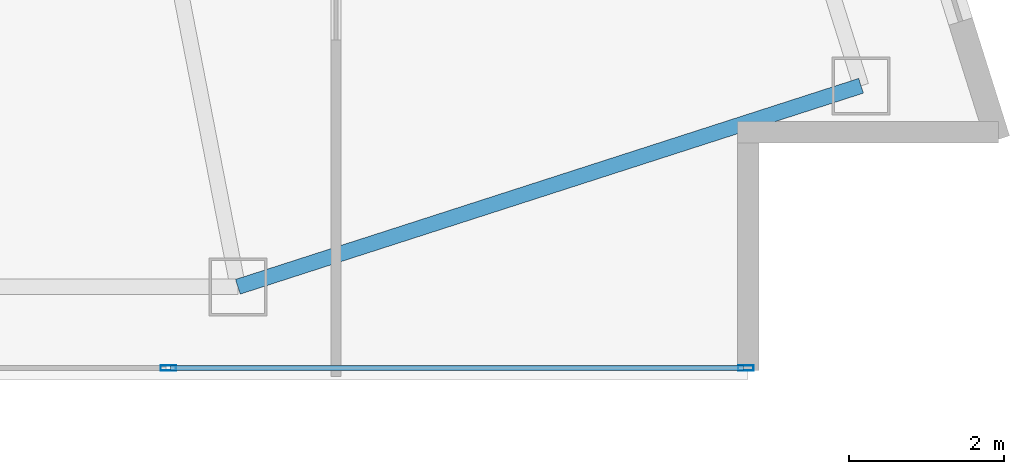
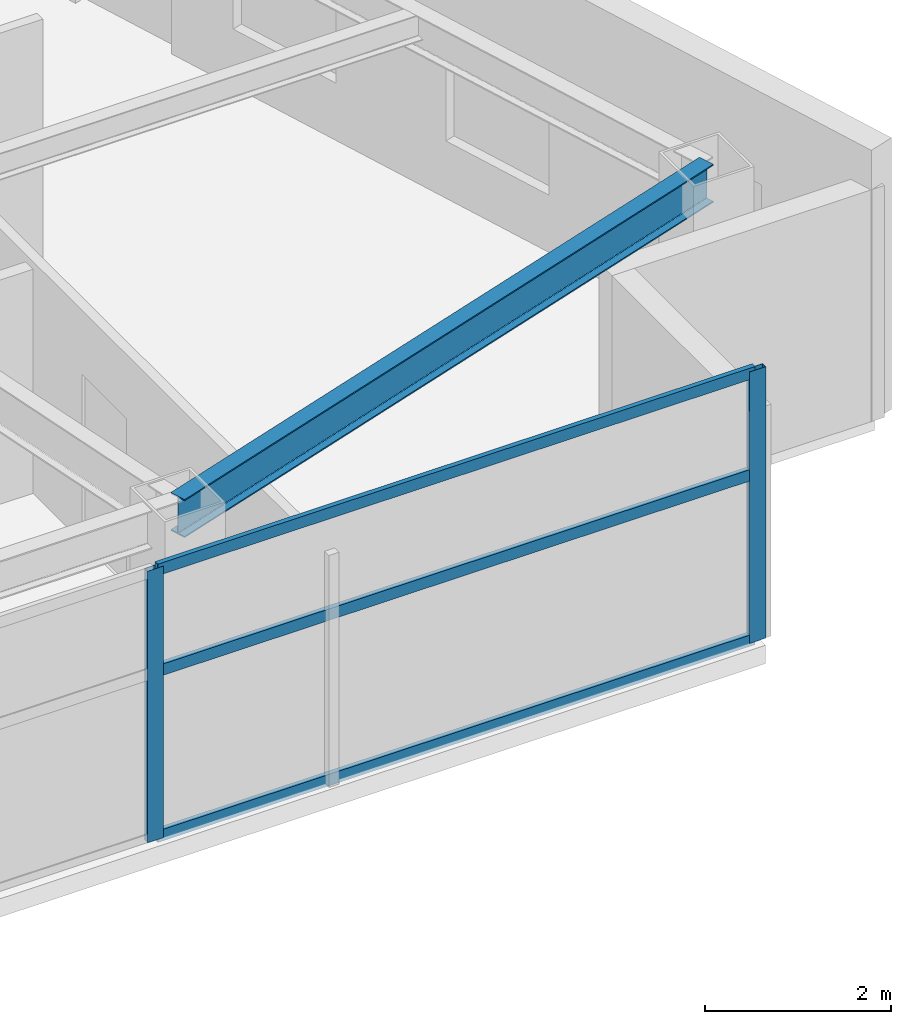
# One storey, part 14 of 28: 5 members, 1 beam, 1 element without a shape of its own.
"""IFC4 building model written with IfcOpenShell, lengths in metres."""

from ifc_helpers import new_model, si_unit, direction, frame, origin, origin_2d, place, context, subcontext, project, spatial, hollow_rectangle, i_section, extrude, material, layer, layer_set, material_profile, profile_set, type_object, element, aggregate, save


model = new_model("IFC4")

# Units and contexts
model_context = context("Model", 3, precision=1e-05, world=origin(), true_north=direction((0.0, 1.0)))
body_context = subcontext(model_context, "Body", "Model", "MODEL_VIEW")
ifc_project = project(units=[si_unit("LENGTHUNIT", "METRE"), si_unit("AREAUNIT", "SQUARE_METRE"), si_unit("VOLUMEUNIT", "CUBIC_METRE"), si_unit("PLANEANGLEUNIT", "RADIAN"), si_unit("MASSUNIT", "GRAM", prefix="KILO")], contexts=[model_context])

# Site, building, storey
site_placement = place(None, origin())
site = spatial("IfcSite", under=ifc_project, at=site_placement, CompositionType="ELEMENT")
building_placement = place(site_placement, origin())
building = spatial("IfcBuilding", under=site, at=building_placement, Name="Calvorn Quay Hotel", CompositionType="ELEMENT")
storey_placement = place(building_placement, frame((0.0, 0.0, 152.300048828125)))
storey = spatial("IfcBuildingStorey", under=building, at=storey_placement, Name="L37", CompositionType="ELEMENT", Elevation=152.300048828125)

# Beam
ifc_material_1 = material(Name="Steel Q355B", Category="steel")
ifc_material_profile_1 = material_profile(ifc_material_1, i_section(OverallWidth=0.199951171875, OverallDepth=0.5, WebThickness=0.010009765625, FlangeThickness=0.01611328125, FilletRadius=0.01611328125, at=origin_2d()), Name="HN500x200x10x16")
ifc_profile_set_1 = profile_set([ifc_material_profile_1], Name="Steel Q355B")
beam_type = type_object("IfcBeamType", Name="BM-SPANDREL-Z1", PredefinedType="SPANDREL", material=ifc_profile_set_1)
beam_placement = place(storey_placement, frame((49.39990234375, 3.60009765625, 3.2900390625), z_axis=(0.951725188386, 0.306951406237, 0.0), x_axis=(-0.306951406237, 0.951725188386, 0.0)))
element("IfcBeam", 1, at=beam_placement, inside=storey, type_object=beam_type, Name="Beam BSP-L37-S6", PredefinedType="SPANDREL", context=body_context, shape_type="SweptSolid", body=[
    extrude(i_section(OverallWidth=0.199951171875, OverallDepth=0.5, WebThickness=0.010009765625, FlangeThickness=0.01611328125, FilletRadius=0.01611328125, at=origin_2d()), origin(), (0.0, 0.0, 1.0), 8.469970703125),
])

# Curtain wall, members
ifc_material_2 = material(Name="Pale Anodised Aluminium and Low-E Glass", Category="aluminium")
ifc_layer = layer(ifc_material_2, 0.219970703125)
ifc_layer_set = layer_set([ifc_layer], Name="CW-SYS-Z2")
curtain_wall_type = type_object("IfcCurtainWallType", Name="CW-SYS-Z2", PredefinedType="NOTDEFINED", material=ifc_layer_set)
curtain_wall_placement = place(storey_placement, origin())
curtain_wall = element("IfcCurtainWall", 2, at=curtain_wall_placement, inside=storey, type_object=curtain_wall_type, Name="Tower South Waterfront Curtain Wall (L37)", PredefinedType="NOTDEFINED")
ifc_material_3 = material(Name="Pale Anodised Aluminium 6063-T6", Category="aluminium")
ifc_material_profile_2 = material_profile(ifc_material_3, hollow_rectangle(XDim=0.070068359375, YDim=0.199951171875, WallThickness=0.00390625, at=origin_2d()), Name="ALU-M200x70x4")
ifc_profile_set_2 = profile_set([ifc_material_profile_2], Name="Pale Anodised Aluminium 6063-T6")
member_type_1 = type_object("IfcMemberType", Name="CW-SYS-Z2-MUL", PredefinedType="MULLION", material=ifc_profile_set_2)
member_1_placement = place(storey_placement, frame((48.5, 2.550048828125, 0.0), z_axis=(0.0, 0.0, 1.0), x_axis=(0.0, 1.0, 0.0)))
member_1 = element("IfcMember", 3, at=member_1_placement, type_object=member_type_1, Name="CW-L37-S mullion 6", PredefinedType="MULLION", context=body_context, shape_type="SweptSolid", body=[
    extrude(hollow_rectangle(XDim=0.070068359375, YDim=0.199951171875, WallThickness=0.00390625, at=origin_2d()), origin(), (0.0, 0.0, 1.0), 3.56005859375),
])
member_2_placement = place(storey_placement, frame((55.969970703125, 2.550048828125, 0.0), z_axis=(0.0, 0.0, 1.0), x_axis=(0.0, 1.0, 0.0)))
member_2 = element("IfcMember", 4, at=member_2_placement, type_object=member_type_1, Name="CW-L37-S mullion 7", PredefinedType="MULLION", context=body_context, shape_type="SweptSolid", body=[
    extrude(hollow_rectangle(XDim=0.070068359375, YDim=0.199951171875, WallThickness=0.00390625, at=origin_2d()), origin(), (0.0, 0.0, 1.0), 3.56005859375),
])
ifc_material_4 = material(Name="Pale Anodised Aluminium 6063-T6", Category="aluminium")
ifc_material_profile_3 = material_profile(ifc_material_4, hollow_rectangle(XDim=0.06005859375, YDim=0.14990234375, WallThickness=0.00341796875, at=origin_2d()), Name="ALU-T150x60x3.5")
ifc_profile_set_3 = profile_set([ifc_material_profile_3], Name="Pale Anodised Aluminium 6063-T6")
member_type_2 = type_object("IfcMemberType", Name="CW-SYS-Z2-TRN", PredefinedType="USERDEFINED", material=ifc_profile_set_3)
member_3_placement = place(storey_placement, frame((48.530029296875, 2.550048828125, 0.030029296875), z_axis=(1.0, 0.0, 0.0), x_axis=(0.0, 1.0, 0.0)))
member_3 = element("IfcMember", 5, at=member_3_placement, type_object=member_type_2, Name="CW-L37-S transom 6.1", ObjectType="TRANSOM", PredefinedType="USERDEFINED", context=body_context, shape_type="SweptSolid", body=[
    extrude(hollow_rectangle(XDim=0.06005859375, YDim=0.14990234375, WallThickness=0.00341796875, at=origin_2d()), origin(), (0.0, 0.0, 1.0), 7.409912109375),
])
member_4_placement = place(storey_placement, frame((48.530029296875, 2.550048828125, 2.199951171875), z_axis=(1.0, 0.0, 0.0), x_axis=(0.0, 1.0, 0.0)))
member_4 = element("IfcMember", 6, at=member_4_placement, type_object=member_type_2, Name="CW-L37-S transom 6.2", ObjectType="TRANSOM", PredefinedType="USERDEFINED", context=body_context, shape_type="SweptSolid", body=[
    extrude(hollow_rectangle(XDim=0.06005859375, YDim=0.14990234375, WallThickness=0.00341796875, at=origin_2d()), origin(), (0.0, 0.0, 1.0), 7.409912109375),
])
member_5_placement = place(storey_placement, frame((48.530029296875, 2.550048828125, 3.530029296875), z_axis=(1.0, 0.0, 0.0), x_axis=(0.0, 1.0, 0.0)))
member_5 = element("IfcMember", 7, at=member_5_placement, type_object=member_type_2, Name="CW-L37-S transom 6.3", ObjectType="TRANSOM", PredefinedType="USERDEFINED", context=body_context, shape_type="SweptSolid", body=[
    extrude(hollow_rectangle(XDim=0.06005859375, YDim=0.14990234375, WallThickness=0.00341796875, at=origin_2d()), origin(), (0.0, 0.0, 1.0), 7.409912109375),
])
aggregate(curtain_wall, [member_1, member_2, member_3, member_4, member_5])

save(model, "model.ifc")
